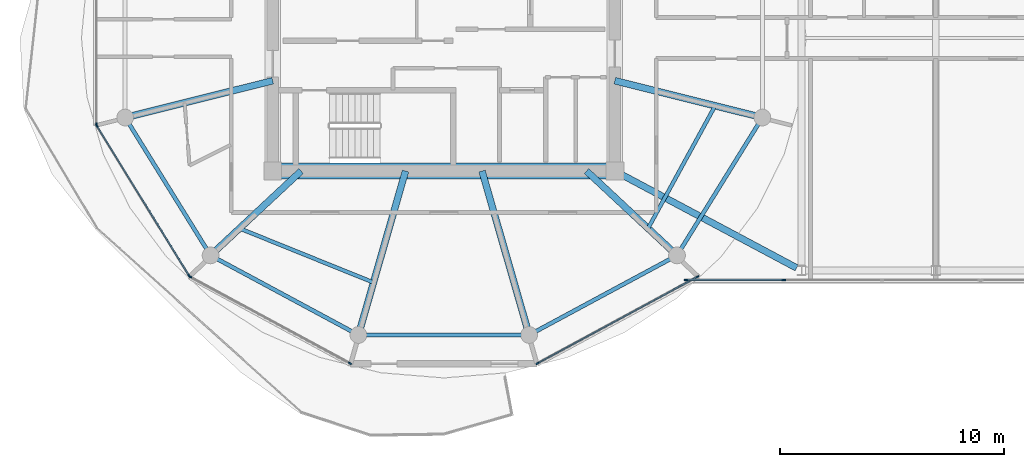
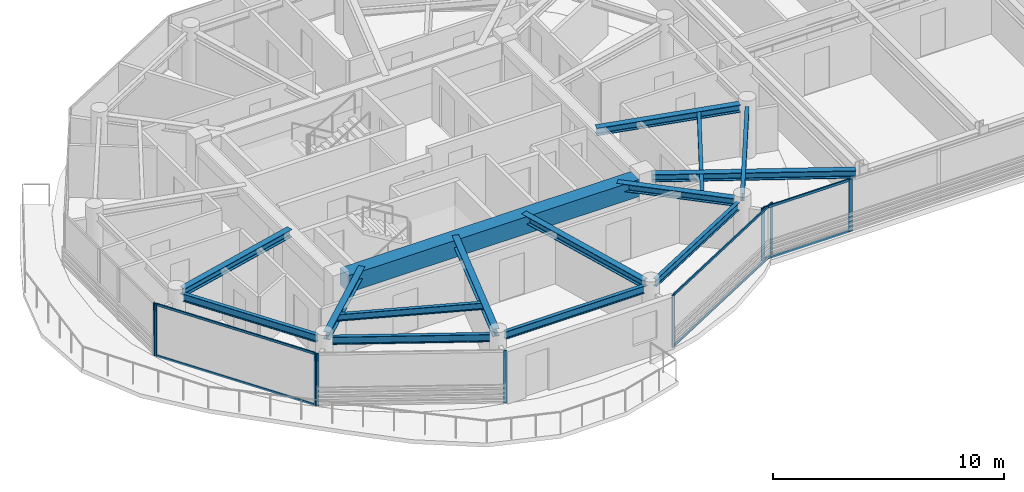
# One storey, part 3 of 24: 15 beams, 15 members, 5 elements without a shape of their own.
"""IFC4 building model written with IfcOpenShell, lengths in metres."""

from ifc_helpers import new_model, si_unit, direction, frame, origin, origin_2d, place, context, subcontext, project, spatial, rectangle, i_section, extrude, source, transform, mapped, material, layer, layer_set, material_profile, profile_set, type_object, type_shapes, element, aggregate, save


model = new_model("IFC4")

# Units and contexts
model_context = context("Model", 3, precision=1e-05, world=origin(), true_north=direction((0.0, 1.0)))
body_context = subcontext(model_context, "Body", "Model", "MODEL_VIEW")
ifc_project = project(units=[si_unit("LENGTHUNIT", "METRE"), si_unit("AREAUNIT", "SQUARE_METRE"), si_unit("VOLUMEUNIT", "CUBIC_METRE"), si_unit("PLANEANGLEUNIT", "RADIAN"), si_unit("MASSUNIT", "GRAM", prefix="KILO")], contexts=[model_context])

# Site, building, storey
site_placement = place(None, origin())
site = spatial("IfcSite", under=ifc_project, at=site_placement, CompositionType="ELEMENT")
building_placement = place(site_placement, origin())
building = spatial("IfcBuilding", under=site, at=building_placement, Name="Norrkilde Senior Care Towers", CompositionType="ELEMENT")
storey_placement = place(building_placement, frame((0.0, 0.0, 223.050048828125)))
storey = spatial("IfcBuildingStorey", under=building, at=storey_placement, Name="L69", CompositionType="ELEMENT", Elevation=223.050048828125)

# Beams
ifc_material_1 = material(Name="Concrete C60/75", Category="concrete")
ifc_material_profile_1 = material_profile(ifc_material_1, rectangle(XDim=0.699951171875, YDim=0.89990234375, at=origin_2d()), Name="RC BM 700x900")
ifc_profile_set_1 = profile_set([ifc_material_profile_1], Name="Concrete C60/75")
beam_type_1 = type_object("IfcBeamType", Name="Core Coupling Girder 700x900", PredefinedType="USERDEFINED", material=ifc_profile_set_1)
shared_shape_1 = source(origin(), body_context, "Body", "SweptSolid", [
    extrude(rectangle(XDim=0.699951171875, YDim=0.89990234375, at=origin_2d()), origin(), (0.0, 0.0, 1.0), 14.5400390625),
])
type_shapes(beam_type_1, [shared_shape_1])
beam_1_placement = place(storey_placement, frame((-35.27001953125, -5.949951171875, 2.31005859375), z_axis=(1.0, 0.0, 0.0), x_axis=(0.0, 1.0, 0.0)))
element("IfcBeam", 1, at=beam_1_placement, inside=storey, type_object=beam_type_1, Name="L69 Core W S Coupling Girder", ObjectType="GIRDER", PredefinedType="USERDEFINED", context=body_context, shape_type="MappedRepresentation", body=[
    mapped(shared_shape_1, transform((0.0, 0.0, 0.0), x_axis=(1.0, 0.0, 0.0), y_axis=(0.0, 1.0, 0.0), z_axis=(0.0, 0.0, 1.0), scale=1.0)),
])
ifc_material_2 = material(Name="Steel S355", Category="steel")
ifc_material_profile_2 = material_profile(ifc_material_2, i_section(OverallWidth=0.179931640625, OverallDepth=0.39990234375, WebThickness=0.008544921875, FlangeThickness=0.013427734375, FilletRadius=0.02099609375, at=origin_2d()), Name="IPE 400")
ifc_profile_set_2 = profile_set([ifc_material_profile_2], Name="Steel S355")
beam_type_2 = type_object("IfcBeamType", Name="Perimeter Ring Spandrel Z4 IPE400", PredefinedType="SPANDREL", material=ifc_profile_set_2)
shared_shape_2 = source(origin(), body_context, "Body", "SweptSolid", [
    extrude(i_section(OverallWidth=0.179931640625, OverallDepth=0.39990234375, WebThickness=0.008544921875, FlangeThickness=0.013427734375, FilletRadius=0.02099609375, at=origin_2d()), origin(), (0.0, 0.0, 1.0), 6.58056640625),
])
for number, where, z_axis, x_axis, name in (
    (2, (-42.071044921875, -3.843505859375, 2.56005859375), (0.526529583789, -0.850156807533, 0.0), (0.850156807533, 0.526529583789, 0.0), "L69 Drum W Perimeter Spandrel 07"),
    (3, (-17.393798828125, -9.43798828125, 2.56005859375), (0.526529583789, 0.850156807533, 0.0), (-0.850156807533, 0.526529583789, 0.0), "L69 Drum W Perimeter Spandrel 11"),
):
    element("IfcBeam", number, at=place(storey_placement, frame(where, z_axis=z_axis, x_axis=x_axis)), inside=storey, type_object=beam_type_2, Name=name, PredefinedType="SPANDREL", context=body_context, shape_type="MappedRepresentation", body=[
        mapped(shared_shape_2, transform((0.0, 0.0, 0.0), x_axis=(1.0, 0.0, 0.0), y_axis=(0.0, 1.0, 0.0), z_axis=(0.0, 0.0, 1.0), scale=1.0)),
    ])
ifc_material_profile_3 = material_profile(ifc_material_2, i_section(OverallWidth=0.300048828125, OverallDepth=0.39990234375, WebThickness=0.013427734375, FlangeThickness=0.02392578125, FilletRadius=0.027099609375, at=origin_2d()), Name="HEB 400")
ifc_profile_set_3 = profile_set([ifc_material_profile_3], Name="Steel S355")
beam_type_3 = type_object("IfcBeamType", Name="Radial Floor Beam Z4 HEB400", PredefinedType="BEAM", material=ifc_profile_set_3)
shared_shape_3 = source(origin(), body_context, "Body", "SweptSolid", [
    extrude(i_section(OverallWidth=0.300048828125, OverallDepth=0.39990234375, WebThickness=0.013427734375, FlangeThickness=0.02392578125, FilletRadius=0.027099609375, at=origin_2d()), origin(), (0.0, 0.0, 1.0), 6.465087890625),
])
for number, where, z_axis, x_axis, name in (
    (4, (-35.64990234375, -1.910888671875, 2.56005859375), (-0.970195788563, -0.242322371758, 0.0), (0.242322371758, -0.970195788563, 0.0), "L69 Drum W Radial Floor Beam 07"),
    (5, (-20.35009765625, -1.910888671875, 2.56005859375), (0.970195788563, -0.242322371758, 0.0), (0.242322371758, 0.970195788563, 0.0), "L69 Drum W Radial Floor Beam 12"),
):
    element("IfcBeam", number, at=place(storey_placement, frame(where, z_axis=z_axis, x_axis=x_axis)), inside=storey, type_object=beam_type_3, Name=name, PredefinedType="BEAM", context=body_context, shape_type="MappedRepresentation", body=[
        mapped(shared_shape_3, transform((0.0, 0.0, 0.0), x_axis=(1.0, 0.0, 0.0), y_axis=(0.0, 1.0, 0.0), z_axis=(0.0, 0.0, 1.0), scale=1.0)),
    ])
shared_shape_4 = source(origin(), body_context, "Body", "SweptSolid", [
    extrude(i_section(OverallWidth=0.179931640625, OverallDepth=0.39990234375, WebThickness=0.008544921875, FlangeThickness=0.013427734375, FilletRadius=0.02099609375, at=origin_2d()), origin(), (0.0, 0.0, 1.0), 6.839111328125),
])
for number, where, z_axis, x_axis, name in (
    (6, (-38.134765625, -9.881591796875, 2.56005859375), (0.880563930732, -0.473927382511, 0.0), (0.473927382511, 0.880563930732, 0.0), "L69 Drum W Perimeter Spandrel 08"),
    (7, (-23.887451171875, -13.122802734375, 2.56005859375), (0.880563930732, 0.473927382511, 0.0), (-0.473927382511, 0.880563930732, 0.0), "L69 Drum W Perimeter Spandrel 10"),
):
    element("IfcBeam", number, at=place(storey_placement, frame(where, z_axis=z_axis, x_axis=x_axis)), inside=storey, type_object=beam_type_2, Name=name, PredefinedType="SPANDREL", context=body_context, shape_type="MappedRepresentation", body=[
        mapped(shared_shape_4, transform((0.0, 0.0, 0.0), x_axis=(1.0, 0.0, 0.0), y_axis=(0.0, 1.0, 0.0), z_axis=(0.0, 0.0, 1.0), scale=1.0)),
    ])
shared_shape_5 = source(origin(), body_context, "Body", "SweptSolid", [
    extrude(i_section(OverallWidth=0.300048828125, OverallDepth=0.39990234375, WebThickness=0.013427734375, FlangeThickness=0.02392578125, FilletRadius=0.027099609375, at=origin_2d()), origin(), (0.0, 0.0, 1.0), 5.197998046875),
])
for number, where, z_axis, x_axis, name in (
    (8, (-34.3828125, -5.949951171875, 2.56005859375), (-0.731448749334, -0.681896419625, 0.0), (0.681896419625, -0.731448749334, 0.0), "L69 Drum W Radial Floor Beam 08"),
    (9, (-21.6171875, -5.949951171875, 2.56005859375), (0.731448749334, -0.681896419625, 0.0), (0.681896419625, 0.731448749334, 0.0), "L69 Drum W Radial Floor Beam 11"),
):
    element("IfcBeam", number, at=place(storey_placement, frame(where, z_axis=z_axis, x_axis=x_axis)), inside=storey, type_object=beam_type_3, Name=name, PredefinedType="BEAM", context=body_context, shape_type="MappedRepresentation", body=[
        mapped(shared_shape_5, transform((0.0, 0.0, 0.0), x_axis=(1.0, 0.0, 0.0), y_axis=(0.0, 1.0, 0.0), z_axis=(0.0, 0.0, 1.0), scale=1.0)),
    ])
shared_shape_6 = source(origin(), body_context, "Body", "SweptSolid", [
    extrude(i_section(OverallWidth=0.179931640625, OverallDepth=0.39990234375, WebThickness=0.008544921875, FlangeThickness=0.013427734375, FilletRadius=0.02099609375, at=origin_2d()), origin(), (0.0, 0.0, 1.0), 6.96533203125),
])
type_shapes(beam_type_2, [shared_shape_2, shared_shape_4, shared_shape_6])
beam_2_placement = place(storey_placement, frame((-31.482666015625, -13.281494140625, 2.56005859375), z_axis=(1.0, 0.0, 0.0), x_axis=(0.0, 1.0, 0.0)))
element("IfcBeam", 10, at=beam_2_placement, inside=storey, type_object=beam_type_2, Name="L69 Drum W Perimeter Spandrel 09", PredefinedType="SPANDREL", context=body_context, shape_type="MappedRepresentation", body=[
    mapped(shared_shape_6, transform((0.0, 0.0, 0.0), x_axis=(1.0, 0.0, 0.0), y_axis=(0.0, 1.0, 0.0), z_axis=(0.0, 0.0, 1.0), scale=1.0)),
])
shared_shape_7 = source(origin(), body_context, "Body", "SweptSolid", [
    extrude(i_section(OverallWidth=0.300048828125, OverallDepth=0.39990234375, WebThickness=0.013427734375, FlangeThickness=0.02392578125, FilletRadius=0.027099609375, at=origin_2d()), origin(), (0.0, 0.0, 1.0), 7.29345703125),
])
for number, where, z_axis, x_axis, name in (
    (11, (-29.710205078125, -5.949951171875, 2.56005859375), (-0.276263751906, -0.961081858836, 0.0), (0.961081858836, -0.276263751906, 0.0), "L69 Drum W Radial Floor Beam 09"),
    (12, (-26.289794921875, -5.949951171875, 2.56005859375), (0.276263751906, -0.961081858836, 0.0), (0.961081858836, 0.276263751906, 0.0), "L69 Drum W Radial Floor Beam 10"),
):
    element("IfcBeam", number, at=place(storey_placement, frame(where, z_axis=z_axis, x_axis=x_axis)), inside=storey, type_object=beam_type_3, Name=name, PredefinedType="BEAM", context=body_context, shape_type="MappedRepresentation", body=[
        mapped(shared_shape_7, transform((0.0, 0.0, 0.0), x_axis=(1.0, 0.0, 0.0), y_axis=(0.0, 1.0, 0.0), z_axis=(0.0, 0.0, 1.0), scale=1.0)),
    ])
ifc_material_profile_4 = material_profile(ifc_material_2, i_section(OverallWidth=0.169921875, OverallDepth=0.360107421875, WebThickness=0.008056640625, FlangeThickness=0.0126953125, FilletRadius=0.01806640625, at=origin_2d()), Name="IPE 360")
ifc_profile_set_4 = profile_set([ifc_material_profile_4], Name="Steel S355")
beam_type_4 = type_object("IfcBeamType", Name="Secondary Floor Joist IPE360", PredefinedType="JOIST", material=ifc_profile_set_4)
shared_shape_8 = source(origin(), body_context, "Body", "SweptSolid", [
    extrude(i_section(OverallWidth=0.169921875, OverallDepth=0.360107421875, WebThickness=0.008056640625, FlangeThickness=0.0126953125, FilletRadius=0.01806640625, at=origin_2d()), origin(), (0.0, 0.0, 1.0), 6.461669921875),
])
beam_3_placement = place(storey_placement, frame((-37.134765625, -8.515380859375, 2.579833984375), z_axis=(0.927225942298, -0.374502405772, 0.0), x_axis=(0.374502405772, 0.927225942298, 0.0)))
element("IfcBeam", 13, at=beam_3_placement, inside=storey, type_object=beam_type_4, Name="L69 Drum W Secondary Floor Joist 3", PredefinedType="JOIST", context=body_context, shape_type="MappedRepresentation", body=[
    mapped(shared_shape_8, transform((0.0, 0.0, 0.0), x_axis=(1.0, 0.0, 0.0), y_axis=(0.0, 1.0, 0.0), z_axis=(0.0, 0.0, 1.0), scale=1.0)),
])
shared_shape_9 = source(origin(), body_context, "Body", "SweptSolid", [
    extrude(i_section(OverallWidth=0.169921875, OverallDepth=0.360107421875, WebThickness=0.008056640625, FlangeThickness=0.0126953125, FilletRadius=0.01806640625, at=origin_2d()), origin(), (0.0, 0.0, 1.0), 6.25146484375),
])
type_shapes(beam_type_4, [shared_shape_8, shared_shape_9])
beam_4_placement = place(storey_placement, frame((-18.865234375, -8.515380859375, 2.579833984375), z_axis=(0.480115752653, 0.877205143655, 0.0), x_axis=(-0.877205143655, 0.480115752653, 0.0)))
element("IfcBeam", 14, at=beam_4_placement, inside=storey, type_object=beam_type_4, Name="L69 Drum W Secondary Floor Joist 4", PredefinedType="JOIST", context=body_context, shape_type="MappedRepresentation", body=[
    mapped(shared_shape_9, transform((0.0, 0.0, 0.0), x_axis=(1.0, 0.0, 0.0), y_axis=(0.0, 1.0, 0.0), z_axis=(0.0, 0.0, 1.0), scale=1.0)),
])
shared_shape_10 = source(origin(), body_context, "Body", "SweptSolid", [
    extrude(i_section(OverallWidth=0.300048828125, OverallDepth=0.39990234375, WebThickness=0.013427734375, FlangeThickness=0.02392578125, FilletRadius=0.027099609375, at=origin_2d()), origin(), (0.0, 0.0, 1.0), 8.831787109375),
])
type_shapes(beam_type_3, [shared_shape_3, shared_shape_5, shared_shape_7, shared_shape_10])
beam_5_placement = place(storey_placement, frame((-20.0146484375, -6.128662109375, 2.56005859375), z_axis=(0.882492172381, -0.470327083727, 0.0), x_axis=(0.470327083727, 0.882492172381, 0.0)))
element("IfcBeam", 15, at=beam_5_placement, inside=storey, type_object=beam_type_3, Name="L69 Sky-Gate Bridge Girder S1", PredefinedType="BEAM", context=body_context, shape_type="MappedRepresentation", body=[
    mapped(shared_shape_10, transform((0.0, 0.0, 0.0), x_axis=(1.0, 0.0, 0.0), y_axis=(0.0, 1.0, 0.0), z_axis=(0.0, 0.0, 1.0), scale=1.0)),
])

# Curtain wall, members
ifc_material_3 = material(Name="Triple Low-E Insulated Glazing", Category="glass")
ifc_layer_1 = layer(ifc_material_3, 0.18505859375)
ifc_layer_set_1 = layer_set([ifc_layer_1], Name="Triple Low-E Insulated Glazing")
curtain_wall_type_1 = type_object("IfcCurtainWallType", Name="CW6 Zone 4 Crown Pavilion Curtain Wall", PredefinedType="NOTDEFINED", material=ifc_layer_set_1)
curtain_wall_1_placement = place(storey_placement, origin())
curtain_wall_1 = element("IfcCurtainWall", 16, at=curtain_wall_1_placement, inside=storey, type_object=curtain_wall_type_1, Name="L69 Drum W Curtain Wall 06", PredefinedType="NOTDEFINED")
ifc_material_4 = material(Name="Anodised Aluminium", Category="aluminium")
ifc_material_profile_5 = material_profile(ifc_material_4, rectangle(XDim=0.06005859375, YDim=0.1201171875, at=origin_2d()), Name="ALU TRAN 60x120")
ifc_profile_set_5 = profile_set([ifc_material_profile_5], Name="Anodised Aluminium")
member_type_1 = type_object("IfcMemberType", Name="Curtain Wall Transom Typical 60x120", PredefinedType="USERDEFINED", material=ifc_profile_set_5)
shared_shape_11 = source(origin(), body_context, "Body", "SweptSolid", [
    extrude(rectangle(XDim=0.06005859375, YDim=0.1201171875, at=origin_2d()), origin(), (0.0, 0.0, 1.0), 7.808837890625),
])
member_1_placement = place(storey_placement, frame((-39.404296875, -10.60791015625, 0.030029296875), z_axis=(-0.524250924101, 0.851563837055, 0.0), x_axis=(-0.851563837055, -0.524250924101, 0.0)))
member_1 = element("IfcMember", 17, at=member_1_placement, type_object=member_type_1, Name="CW-6 transom 1.1", ObjectType="TRANSOM", PredefinedType="USERDEFINED", context=body_context, shape_type="MappedRepresentation", body=[
    mapped(shared_shape_11, transform((0.0, 0.0, 0.0), x_axis=(1.0, 0.0, 0.0), y_axis=(0.0, 1.0, 0.0), z_axis=(0.0, 0.0, 1.0), scale=1.0)),
])
member_2_placement = place(storey_placement, frame((-39.404296875, -10.60791015625, 2.72998046875), z_axis=(-0.524250924101, 0.851563837055, 0.0), x_axis=(-0.851563837055, -0.524250924101, 0.0)))
member_2 = element("IfcMember", 18, at=member_2_placement, type_object=member_type_1, Name="CW-6 transom 1.2", ObjectType="TRANSOM", PredefinedType="USERDEFINED", context=body_context, shape_type="MappedRepresentation", body=[
    mapped(shared_shape_11, transform((0.0, 0.0, 0.0), x_axis=(1.0, 0.0, 0.0), y_axis=(0.0, 1.0, 0.0), z_axis=(0.0, 0.0, 1.0), scale=1.0)),
])

curtain_wall_2_placement = place(storey_placement, origin())
curtain_wall_2 = element("IfcCurtainWall", 19, at=curtain_wall_2_placement, inside=storey, type_object=curtain_wall_type_1, Name="L69 Drum W Curtain Wall 09", PredefinedType="NOTDEFINED")
shared_shape_12 = source(origin(), body_context, "Body", "SweptSolid", [
    extrude(rectangle(XDim=0.06005859375, YDim=0.1201171875, at=origin_2d()), origin(), (0.0, 0.0, 1.0), 8.0673828125),
])
type_shapes(member_type_1, [shared_shape_11, shared_shape_12])
member_3_placement = place(storey_placement, frame((-16.686767578125, -10.694091796875, 0.030029296875), z_axis=(-0.87937750072, -0.476125205411, 0.0), x_axis=(0.476125205411, -0.87937750072, 0.0)))
member_3 = element("IfcMember", 20, at=member_3_placement, type_object=member_type_1, Name="CW-6 transom 1.1", ObjectType="TRANSOM", PredefinedType="USERDEFINED", context=body_context, shape_type="MappedRepresentation", body=[
    mapped(shared_shape_12, transform((0.0, 0.0, 0.0), x_axis=(1.0, 0.0, 0.0), y_axis=(0.0, 1.0, 0.0), z_axis=(0.0, 0.0, 1.0), scale=1.0)),
])
member_4_placement = place(storey_placement, frame((-16.686767578125, -10.694091796875, 2.72998046875), z_axis=(-0.87937750072, -0.476125205411, 0.0), x_axis=(0.476125205411, -0.87937750072, 0.0)))
member_4 = element("IfcMember", 21, at=member_4_placement, type_object=member_type_1, Name="CW-6 transom 1.2", ObjectType="TRANSOM", PredefinedType="USERDEFINED", context=body_context, shape_type="MappedRepresentation", body=[
    mapped(shared_shape_12, transform((0.0, 0.0, 0.0), x_axis=(1.0, 0.0, 0.0), y_axis=(0.0, 1.0, 0.0), z_axis=(0.0, 0.0, 1.0), scale=1.0)),
])

# Curtain wall, member
curtain_wall_3_placement = place(storey_placement, origin())
curtain_wall_3 = element("IfcCurtainWall", 22, at=curtain_wall_3_placement, inside=storey, type_object=curtain_wall_type_1, Name="L69 Drum W Curtain Wall 05", PredefinedType="NOTDEFINED")
ifc_material_profile_6 = material_profile(ifc_material_4, rectangle(XDim=0.06494140625, YDim=0.14990234375, at=origin_2d()), Name="ALU MULL 65x150")
ifc_profile_set_6 = profile_set([ifc_material_profile_6], Name="Anodised Aluminium")
member_type_2 = type_object("IfcMemberType", Name="Curtain Wall Mullion Z3-Z4 65x150", PredefinedType="MULLION", material=ifc_profile_set_6)
shared_shape_13 = source(origin(), body_context, "Body", "SweptSolid", [
    extrude(rectangle(XDim=0.06494140625, YDim=0.14990234375, at=origin_2d()), origin(), (0.0, 0.0, 1.0), 2.760009765625),
])
type_shapes(member_type_2, [shared_shape_13])
member_5_placement = place(storey_placement, frame((-43.531982421875, -3.87060546875, 0.0), z_axis=(0.0, 0.0, 1.0), x_axis=(-1.0, 0.0, 0.0)))
member_5 = element("IfcMember", 23, at=member_5_placement, type_object=member_type_2, Name="CW-6 mullion 1", PredefinedType="MULLION", context=body_context, shape_type="MappedRepresentation", body=[
    mapped(shared_shape_13, transform((0.0, 0.0, 0.0), x_axis=(1.0, 0.0, 0.0), y_axis=(0.0, 1.0, 0.0), z_axis=(0.0, 0.0, 1.0), scale=1.0)),
])
aggregate(curtain_wall_3, [member_5])

# Member
member_6_placement = place(storey_placement, frame((-39.38720703125, -10.635498046875, 0.0), z_axis=(0.0, 0.0, 1.0), x_axis=(-0.851562727283, -0.524252726748, 0.0)))
member_6 = element("IfcMember", 24, at=member_6_placement, type_object=member_type_2, Name="CW-6 mullion 1", PredefinedType="MULLION", context=body_context, shape_type="MappedRepresentation", body=[
    mapped(shared_shape_13, transform((0.0, 0.0, 0.0), x_axis=(1.0, 0.0, 0.0), y_axis=(0.0, 1.0, 0.0), z_axis=(0.0, 0.0, 1.0), scale=1.0)),
])

member_7_placement = place(storey_placement, frame((-43.51513671875, -3.9306640625, 0.0), z_axis=(0.0, 0.0, 1.0), x_axis=(-0.851562727283, -0.524252726748, 0.0)))
member_7 = element("IfcMember", 25, at=member_7_placement, type_object=member_type_2, Name="CW-6 mullion 2", PredefinedType="MULLION", context=body_context, shape_type="MappedRepresentation", body=[
    mapped(shared_shape_13, transform((0.0, 0.0, 0.0), x_axis=(1.0, 0.0, 0.0), y_axis=(0.0, 1.0, 0.0), z_axis=(0.0, 0.0, 1.0), scale=1.0)),
])

aggregate(curtain_wall_1, [member_6, member_7, member_1, member_2])

# Curtain wall, members
curtain_wall_4_placement = place(storey_placement, origin())
curtain_wall_4 = element("IfcCurtainWall", 26, at=curtain_wall_4_placement, inside=storey, type_object=curtain_wall_type_1, Name="L69 Drum W Curtain Wall 07", PredefinedType="NOTDEFINED")
member_8_placement = place(storey_placement, frame((-32.1904296875, -14.55078125, 0.0), z_axis=(0.0, 0.0, 1.0), x_axis=(-0.476132676136, -0.879373455772, 0.0)))
member_8 = element("IfcMember", 27, at=member_8_placement, type_object=member_type_2, Name="CW-6 mullion 1", PredefinedType="MULLION", context=body_context, shape_type="MappedRepresentation", body=[
    mapped(shared_shape_13, transform((0.0, 0.0, 0.0), x_axis=(1.0, 0.0, 0.0), y_axis=(0.0, 1.0, 0.0), z_axis=(0.0, 0.0, 1.0), scale=1.0)),
])
member_9_placement = place(storey_placement, frame((-39.341796875, -10.6787109375, 0.0), z_axis=(0.0, 0.0, 1.0), x_axis=(-0.476132676136, -0.879373455772, 0.0)))
member_9 = element("IfcMember", 28, at=member_9_placement, type_object=member_type_2, Name="CW-6 mullion 2", PredefinedType="MULLION", context=body_context, shape_type="MappedRepresentation", body=[
    mapped(shared_shape_13, transform((0.0, 0.0, 0.0), x_axis=(1.0, 0.0, 0.0), y_axis=(0.0, 1.0, 0.0), z_axis=(0.0, 0.0, 1.0), scale=1.0)),
])
aggregate(curtain_wall_4, [member_8, member_9])

# Member
member_10_placement = place(storey_placement, frame((-16.658203125, -10.6787109375, 0.0), z_axis=(0.0, 0.0, 1.0), x_axis=(0.476132676136, -0.879373455772, 0.0)))
member_10 = element("IfcMember", 29, at=member_10_placement, type_object=member_type_2, Name="CW-6 mullion 1", PredefinedType="MULLION", context=body_context, shape_type="MappedRepresentation", body=[
    mapped(shared_shape_13, transform((0.0, 0.0, 0.0), x_axis=(1.0, 0.0, 0.0), y_axis=(0.0, 1.0, 0.0), z_axis=(0.0, 0.0, 1.0), scale=1.0)),
])

member_11_placement = place(storey_placement, frame((-23.8095703125, -14.55078125, 0.0), z_axis=(0.0, 0.0, 1.0), x_axis=(0.476132676136, -0.879373455772, 0.0)))
member_11 = element("IfcMember", 30, at=member_11_placement, type_object=member_type_2, Name="CW-6 mullion 2", PredefinedType="MULLION", context=body_context, shape_type="MappedRepresentation", body=[
    mapped(shared_shape_13, transform((0.0, 0.0, 0.0), x_axis=(1.0, 0.0, 0.0), y_axis=(0.0, 1.0, 0.0), z_axis=(0.0, 0.0, 1.0), scale=1.0)),
])

aggregate(curtain_wall_2, [member_10, member_11, member_3, member_4])

# Curtain wall, members
ifc_layer_2 = layer(ifc_material_3, 0.2099609375)
ifc_layer_set_2 = layer_set([ifc_layer_2], Name="Triple Low-E Insulated Glazing")
curtain_wall_type_2 = type_object("IfcCurtainWallType", Name="CW5 Sky-Gate Bridge Curtain Wall", PredefinedType="NOTDEFINED", material=ifc_layer_set_2)
curtain_wall_5_placement = place(storey_placement, origin())
curtain_wall_5 = element("IfcCurtainWall", 31, at=curtain_wall_5_placement, inside=storey, type_object=curtain_wall_type_2, Name="L69 Sky-Gate Bridge South Curtain Wall 3", PredefinedType="NOTDEFINED")
ifc_material_profile_7 = material_profile(ifc_material_4, rectangle(XDim=0.06494140625, YDim=0.1298828125, at=origin_2d()), Name="ALU TRAN 65x130")
ifc_profile_set_7 = profile_set([ifc_material_profile_7], Name="Anodised Aluminium")
member_type_3 = type_object("IfcMemberType", Name="Curtain Wall Transom Heavy 65x130", PredefinedType="USERDEFINED", material=ifc_profile_set_7)
shared_shape_14 = source(origin(), body_context, "Body", "SweptSolid", [
    extrude(rectangle(XDim=0.06494140625, YDim=0.1298828125, at=origin_2d()), origin(), (0.0, 0.0, 1.0), 4.294921875),
])
type_shapes(member_type_3, [shared_shape_14])
member_12_placement = place(storey_placement, frame((-12.8349609375, -10.820068359375, 0.032470703125), z_axis=(-1.0, 0.0, 0.0), x_axis=(0.0, -1.0, 0.0)))
member_12 = element("IfcMember", 32, at=member_12_placement, type_object=member_type_3, Name="CW-5 transom 3.1", ObjectType="TRANSOM", PredefinedType="USERDEFINED", context=body_context, shape_type="MappedRepresentation", body=[
    mapped(shared_shape_14, transform((0.0, 0.0, 0.0), x_axis=(1.0, 0.0, 0.0), y_axis=(0.0, 1.0, 0.0), z_axis=(0.0, 0.0, 1.0), scale=1.0)),
])
member_13_placement = place(storey_placement, frame((-12.8349609375, -10.820068359375, 2.7275390625), z_axis=(-1.0, 0.0, 0.0), x_axis=(0.0, -1.0, 0.0)))
member_13 = element("IfcMember", 33, at=member_13_placement, type_object=member_type_3, Name="CW-5 transom 3.2", ObjectType="TRANSOM", PredefinedType="USERDEFINED", context=body_context, shape_type="MappedRepresentation", body=[
    mapped(shared_shape_14, transform((0.0, 0.0, 0.0), x_axis=(1.0, 0.0, 0.0), y_axis=(0.0, 1.0, 0.0), z_axis=(0.0, 0.0, 1.0), scale=1.0)),
])
ifc_material_profile_8 = material_profile(ifc_material_4, rectangle(XDim=0.070068359375, YDim=0.169921875, at=origin_2d()), Name="ALU MULL 70x170")
ifc_profile_set_8 = profile_set([ifc_material_profile_8], Name="Anodised Aluminium")
member_type_4 = type_object("IfcMemberType", Name="Curtain Wall Mullion Heavy 70x170", PredefinedType="MULLION", material=ifc_profile_set_8)
shared_shape_15 = source(origin(), body_context, "Body", "SweptSolid", [
    extrude(rectangle(XDim=0.070068359375, YDim=0.169921875, at=origin_2d()), origin(), (0.0, 0.0, 1.0), 2.760009765625),
])
type_shapes(member_type_4, [shared_shape_15])
member_14_placement = place(storey_placement, frame((-12.800048828125, -10.820068359375, 0.0), z_axis=(0.0, 0.0, 1.0), x_axis=(0.0, -1.0, 0.0)))
member_14 = element("IfcMember", 34, at=member_14_placement, type_object=member_type_4, Name="CW-5 mullion 3", PredefinedType="MULLION", context=body_context, shape_type="MappedRepresentation", body=[
    mapped(shared_shape_15, transform((0.0, 0.0, 0.0), x_axis=(1.0, 0.0, 0.0), y_axis=(0.0, 1.0, 0.0), z_axis=(0.0, 0.0, 1.0), scale=1.0)),
])
member_15_placement = place(storey_placement, frame((-17.1650390625, -10.820068359375, 0.0), z_axis=(0.0, 0.0, 1.0), x_axis=(0.0, -1.0, 0.0)))
member_15 = element("IfcMember", 35, at=member_15_placement, type_object=member_type_4, Name="CW-5 mullion 4", PredefinedType="MULLION", context=body_context, shape_type="MappedRepresentation", body=[
    mapped(shared_shape_15, transform((0.0, 0.0, 0.0), x_axis=(1.0, 0.0, 0.0), y_axis=(0.0, 1.0, 0.0), z_axis=(0.0, 0.0, 1.0), scale=1.0)),
])
aggregate(curtain_wall_5, [member_14, member_15, member_12, member_13])

save(model, "model.ifc")
